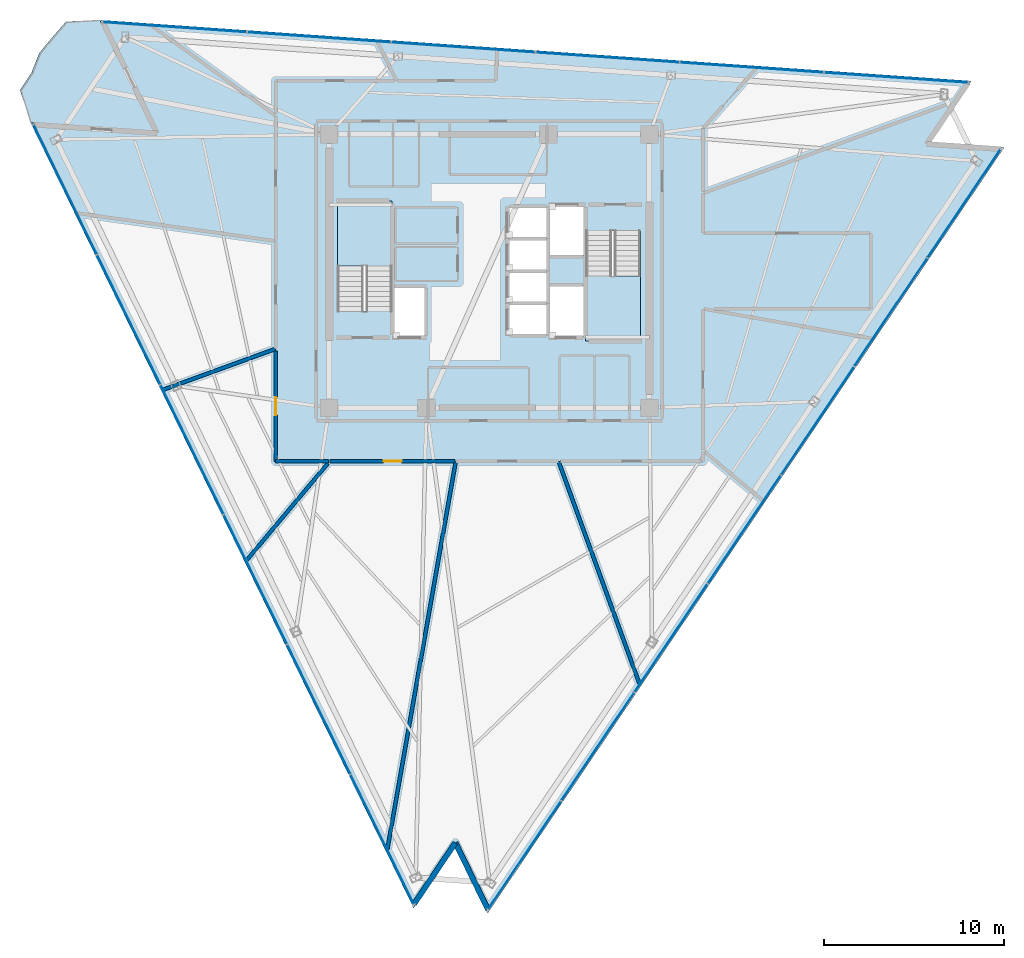
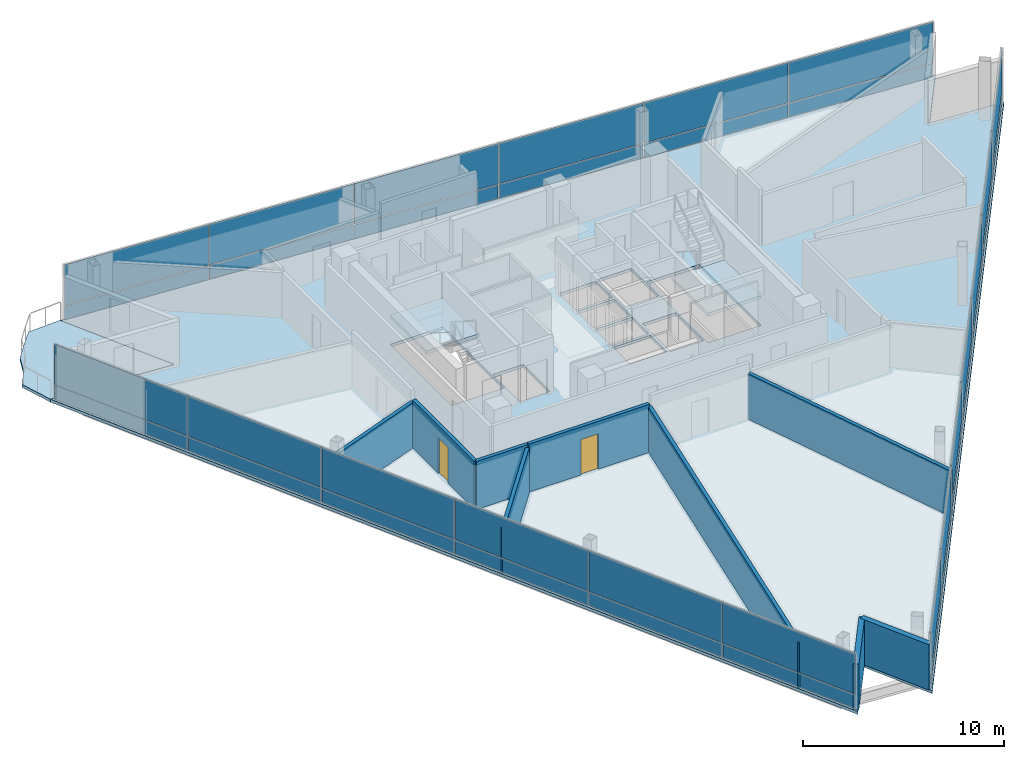
# One storey, part 8 of 14: 38 plates, 9 walls, 4 slabs, 2 doors, 2 openings, 5 elements without a shape of their own.
"""IFC4 building model written with IfcOpenShell, lengths in metres."""

from ifc_helpers import new_model, si_unit, direction, frame, frame_2d, origin, origin_2d, place, context, subcontext, project, spatial, polyline, rectangle, outline, extrude, material, layer, layer_set, type_object, element, fill, aggregate, save


model = new_model("IFC4")

# Units and contexts
model_context = context("Model", 3, precision=1e-05, world=origin(), true_north=direction((0.0, 1.0)))
body_context = subcontext(model_context, "Body", "Model", "MODEL_VIEW")
ifc_project = project(units=[si_unit("LENGTHUNIT", "METRE"), si_unit("AREAUNIT", "SQUARE_METRE"), si_unit("VOLUMEUNIT", "CUBIC_METRE"), si_unit("PLANEANGLEUNIT", "RADIAN"), si_unit("MASSUNIT", "GRAM", prefix="KILO")], contexts=[model_context])

# Site, building, storey
site_placement = place(None, origin())
site = spatial("IfcSite", under=ifc_project, at=site_placement, CompositionType="ELEMENT")
building_placement = place(site_placement, origin())
building = spatial("IfcBuilding", under=site, at=building_placement, Name="Tharavind Bronze Gate", CompositionType="ELEMENT")
storey_placement = place(building_placement, frame((0.0, 0.0, 237.85009765625)))
storey = spatial("IfcBuildingStorey", under=building, at=storey_placement, Name="L61", CompositionType="ELEMENT", Elevation=237.85009765625)

# Curtain wall, plates
ifc_material_1 = material(Name="Anodised Bronze Aluminium", Category="aluminium")
ifc_layer_1 = layer(ifc_material_1, 0.219970703125)
ifc_layer_set_1 = layer_set([ifc_layer_1], Name="Anodised Bronze Aluminium")
curtain_wall_type = type_object("IfcCurtainWallType", Name="UNITISED CURTAIN WALL UPPER OFFICE", PredefinedType="USERDEFINED", material=ifc_layer_set_1)
curtain_wall_1_placement = place(storey_placement, origin())
curtain_wall_1 = element("IfcCurtainWall", 1, at=curtain_wall_1_placement, inside=storey, type_object=curtain_wall_type, Name="L61 unitised curtain wall upper office CW-L61-S1", ObjectType="UNITISED CURTAIN WALL", PredefinedType="USERDEFINED")
ifc_material_2 = material(Name="Patinated Bronze Alloy Sheet", Category="bronze")
ifc_layer_2 = layer(ifc_material_2, 0.01611328125)
ifc_layer_set_2 = layer_set([ifc_layer_2], Name="Patinated Bronze Alloy Sheet")
plate_type_1 = type_object("IfcPlateType", Name="BRONZE SPANDREL CLADDING PANEL 16", PredefinedType="CURTAIN_PANEL", material=ifc_layer_set_2)
plate_1_placement = place(storey_placement, frame((-23.5751953125, 4.5283203125, 0.0263671875), z_axis=(0.0, 0.0, 1.0), x_axis=(0.438371146789, -0.898794046299, 0.0)))
plate_1 = element("IfcPlate", 2, at=plate_1_placement, type_object=plate_type_1, Name="CW-L61-S1 bronze spandrel panel 1", PredefinedType="CURTAIN_PANEL", context=body_context, shape_type="SweptSolid", body=[
    extrude(rectangle(XDim=7.985107421875, YDim=0.01611328125, at=origin_2d()), origin(), (0.0, 0.0, 1.0), 0.846923828125),
])
plate_2_placement = place(storey_placement, frame((-20.051513671875, -2.696044921875, 0.0263671875), z_axis=(0.0, 0.0, 1.0), x_axis=(0.438371146789, -0.898794046299, 0.0)))
plate_2 = element("IfcPlate", 3, at=plate_2_placement, type_object=plate_type_1, Name="CW-L61-S1 bronze spandrel panel 2", PredefinedType="CURTAIN_PANEL", context=body_context, shape_type="SweptSolid", body=[
    extrude(rectangle(XDim=7.985107421875, YDim=0.01611328125, at=origin_2d()), origin(), (0.0, 0.0, 1.0), 0.846923828125),
])
plate_3_placement = place(storey_placement, frame((-16.528076171875, -9.920654296875, 0.0263671875), z_axis=(0.0, 0.0, 1.0), x_axis=(0.438371146789, -0.898794046299, 0.0)))
plate_3 = element("IfcPlate", 4, at=plate_3_placement, type_object=plate_type_1, Name="CW-L61-S1 bronze spandrel panel 3", PredefinedType="CURTAIN_PANEL", context=body_context, shape_type="SweptSolid", body=[
    extrude(rectangle(XDim=7.985107421875, YDim=0.01611328125, at=origin_2d()), origin(), (0.0, 0.0, 1.0), 0.846923828125),
])
plate_4_placement = place(storey_placement, frame((-13.00439453125, -17.145263671875, 0.0263671875), z_axis=(0.0, 0.0, 1.0), x_axis=(0.438371146789, -0.898794046299, 0.0)))
plate_4 = element("IfcPlate", 5, at=plate_4_placement, type_object=plate_type_1, Name="CW-L61-S1 bronze spandrel panel 4", PredefinedType="CURTAIN_PANEL", context=body_context, shape_type="SweptSolid", body=[
    extrude(rectangle(XDim=7.985107421875, YDim=0.01611328125, at=origin_2d()), origin(), (0.0, 0.0, 1.0), 0.846923828125),
])
plate_5_placement = place(storey_placement, frame((-9.480712890625, -24.36962890625, 0.0263671875), z_axis=(0.0, 0.0, 1.0), x_axis=(0.438371146789, -0.898794046299, 0.0)))
plate_5 = element("IfcPlate", 6, at=plate_5_placement, type_object=plate_type_1, Name="CW-L61-S1 bronze spandrel panel 5", PredefinedType="CURTAIN_PANEL", context=body_context, shape_type="SweptSolid", body=[
    extrude(rectangle(XDim=7.985107421875, YDim=0.01611328125, at=origin_2d()), origin(), (0.0, 0.0, 1.0), 0.846923828125),
])
plate_6_placement = place(storey_placement, frame((-5.95703125, -31.59423828125, 0.0263671875), z_axis=(0.0, 0.0, 1.0), x_axis=(0.438371146789, -0.898794046299, 0.0)))
plate_6 = element("IfcPlate", 7, at=plate_6_placement, type_object=plate_type_1, Name="CW-L61-S1 bronze spandrel panel 6", PredefinedType="CURTAIN_PANEL", context=body_context, shape_type="SweptSolid", body=[
    extrude(rectangle(XDim=7.985107421875, YDim=0.01611328125, at=origin_2d()), origin(), (0.0, 0.0, 1.0), 0.846923828125),
])

curtain_wall_2_placement = place(storey_placement, origin())
curtain_wall_2 = element("IfcCurtainWall", 8, at=curtain_wall_2_placement, inside=storey, type_object=curtain_wall_type, Name="L61 unitised curtain wall upper office CW-L61-S2", ObjectType="UNITISED CURTAIN WALL", PredefinedType="USERDEFINED")
plate_7_placement = place(storey_placement, frame((1.958984375, -32.4755859375, 0.0263671875), z_axis=(0.0, 0.0, 1.0), x_axis=(0.559192903471, 0.829037572555, 0.0)))
plate_7 = element("IfcPlate", 9, at=plate_7_placement, type_object=plate_type_1, Name="CW-L61-S2 bronze spandrel panel 1", PredefinedType="CURTAIN_PANEL", context=body_context, shape_type="SweptSolid", body=[
    extrude(rectangle(XDim=7.22998046875, YDim=0.01611328125, at=origin_2d()), origin(), (0.0, 0.0, 1.0), 0.846923828125),
])
plate_8_placement = place(storey_placement, frame((6.031494140625, -26.437744140625, 0.0263671875), z_axis=(0.0, 0.0, 1.0), x_axis=(0.559192903471, 0.829037572555, 0.0)))
plate_8 = element("IfcPlate", 10, at=plate_8_placement, type_object=plate_type_1, Name="CW-L61-S2 bronze spandrel panel 2", PredefinedType="CURTAIN_PANEL", context=body_context, shape_type="SweptSolid", body=[
    extrude(rectangle(XDim=7.22998046875, YDim=0.01611328125, at=origin_2d()), origin(), (0.0, 0.0, 1.0), 0.846923828125),
])
plate_9_placement = place(storey_placement, frame((10.10400390625, -20.39990234375, 0.0263671875), z_axis=(0.0, 0.0, 1.0), x_axis=(0.559192903471, 0.829037572555, 0.0)))
plate_9 = element("IfcPlate", 11, at=plate_9_placement, type_object=plate_type_1, Name="CW-L61-S2 bronze spandrel panel 3", PredefinedType="CURTAIN_PANEL", context=body_context, shape_type="SweptSolid", body=[
    extrude(rectangle(XDim=7.22998046875, YDim=0.01611328125, at=origin_2d()), origin(), (0.0, 0.0, 1.0), 0.846923828125),
])
plate_10_placement = place(storey_placement, frame((14.176513671875, -14.3623046875, 0.0263671875), z_axis=(0.0, 0.0, 1.0), x_axis=(0.559192903471, 0.829037572555, 0.0)))
plate_10 = element("IfcPlate", 12, at=plate_10_placement, type_object=plate_type_1, Name="CW-L61-S2 bronze spandrel panel 4", PredefinedType="CURTAIN_PANEL", context=body_context, shape_type="SweptSolid", body=[
    extrude(rectangle(XDim=7.22998046875, YDim=0.01611328125, at=origin_2d()), origin(), (0.0, 0.0, 1.0), 0.846923828125),
])
plate_11_placement = place(storey_placement, frame((18.2490234375, -8.324462890625, 0.0263671875), z_axis=(0.0, 0.0, 1.0), x_axis=(0.559192903471, 0.829037572555, 0.0)))
plate_11 = element("IfcPlate", 13, at=plate_11_placement, type_object=plate_type_1, Name="CW-L61-S2 bronze spandrel panel 5", PredefinedType="CURTAIN_PANEL", context=body_context, shape_type="SweptSolid", body=[
    extrude(rectangle(XDim=7.22998046875, YDim=0.01611328125, at=origin_2d()), origin(), (0.0, 0.0, 1.0), 0.846923828125),
])
plate_12_placement = place(storey_placement, frame((22.321533203125, -2.28662109375, 0.0263671875), z_axis=(0.0, 0.0, 1.0), x_axis=(0.559192903471, 0.829037572555, 0.0)))
plate_12 = element("IfcPlate", 14, at=plate_12_placement, type_object=plate_type_1, Name="CW-L61-S2 bronze spandrel panel 6", PredefinedType="CURTAIN_PANEL", context=body_context, shape_type="SweptSolid", body=[
    extrude(rectangle(XDim=7.22998046875, YDim=0.01611328125, at=origin_2d()), origin(), (0.0, 0.0, 1.0), 0.846923828125),
])
plate_13_placement = place(storey_placement, frame((26.39404296875, 3.751220703125, 0.0263671875), z_axis=(0.0, 0.0, 1.0), x_axis=(0.559192903471, 0.829037572555, 0.0)))
plate_13 = element("IfcPlate", 15, at=plate_13_placement, type_object=plate_type_1, Name="CW-L61-S2 bronze spandrel panel 7", PredefinedType="CURTAIN_PANEL", context=body_context, shape_type="SweptSolid", body=[
    extrude(rectangle(XDim=7.22998046875, YDim=0.01611328125, at=origin_2d()), origin(), (0.0, 0.0, 1.0), 0.846923828125),
])

curtain_wall_3_placement = place(storey_placement, origin())
curtain_wall_3 = element("IfcCurtainWall", 16, at=curtain_wall_3_placement, inside=storey, type_object=curtain_wall_type, Name="L61 unitised curtain wall upper office CW-L61-S3", ObjectType="UNITISED CURTAIN WALL", PredefinedType="USERDEFINED")
plate_14_placement = place(storey_placement, frame((22.611572265625, 10.760498046875, 0.0263671875), z_axis=(0.0, 0.0, 1.0), x_axis=(-0.99756392851, 0.069758214822, 0.0)))
plate_14 = element("IfcPlate", 17, at=plate_14_placement, type_object=plate_type_1, Name="CW-L61-S3 bronze spandrel panel 1", PredefinedType="CURTAIN_PANEL", context=body_context, shape_type="SweptSolid", body=[
    extrude(rectangle(XDim=7.985107421875, YDim=0.01611328125, at=origin_2d()), origin(), (0.0, 0.0, 1.0), 0.846923828125),
])
plate_15_placement = place(storey_placement, frame((14.593017578125, 11.3212890625, 0.0263671875), z_axis=(0.0, 0.0, 1.0), x_axis=(-0.99756392851, 0.069758214822, 0.0)))
plate_15 = element("IfcPlate", 18, at=plate_15_placement, type_object=plate_type_1, Name="CW-L61-S3 bronze spandrel panel 2", PredefinedType="CURTAIN_PANEL", context=body_context, shape_type="SweptSolid", body=[
    extrude(rectangle(XDim=7.985107421875, YDim=0.01611328125, at=origin_2d()), origin(), (0.0, 0.0, 1.0), 0.846923828125),
])
plate_16_placement = place(storey_placement, frame((6.57470703125, 11.882080078125, 0.0263671875), z_axis=(0.0, 0.0, 1.0), x_axis=(-0.99756392851, 0.069758214822, 0.0)))
plate_16 = element("IfcPlate", 19, at=plate_16_placement, type_object=plate_type_1, Name="CW-L61-S3 bronze spandrel panel 3", PredefinedType="CURTAIN_PANEL", context=body_context, shape_type="SweptSolid", body=[
    extrude(rectangle(XDim=7.985107421875, YDim=0.01611328125, at=origin_2d()), origin(), (0.0, 0.0, 1.0), 0.846923828125),
])
plate_17_placement = place(storey_placement, frame((-1.44384765625, 12.442626953125, 0.0263671875), z_axis=(0.0, 0.0, 1.0), x_axis=(-0.99756392851, 0.069758214822, 0.0)))
plate_17 = element("IfcPlate", 20, at=plate_17_placement, type_object=plate_type_1, Name="CW-L61-S3 bronze spandrel panel 4", PredefinedType="CURTAIN_PANEL", context=body_context, shape_type="SweptSolid", body=[
    extrude(rectangle(XDim=7.985107421875, YDim=0.01611328125, at=origin_2d()), origin(), (0.0, 0.0, 1.0), 0.846923828125),
])
plate_18_placement = place(storey_placement, frame((-9.462158203125, 13.00341796875, 0.0263671875), z_axis=(0.0, 0.0, 1.0), x_axis=(-0.99756392851, 0.069758214822, 0.0)))
plate_18 = element("IfcPlate", 21, at=plate_18_placement, type_object=plate_type_1, Name="CW-L61-S3 bronze spandrel panel 5", PredefinedType="CURTAIN_PANEL", context=body_context, shape_type="SweptSolid", body=[
    extrude(rectangle(XDim=7.985107421875, YDim=0.01611328125, at=origin_2d()), origin(), (0.0, 0.0, 1.0), 0.846923828125),
])
plate_19_placement = place(storey_placement, frame((-17.480712890625, 13.564208984375, 0.0263671875), z_axis=(0.0, 0.0, 1.0), x_axis=(-0.99756392851, 0.069758214822, 0.0)))
plate_19 = element("IfcPlate", 22, at=plate_19_placement, type_object=plate_type_1, Name="CW-L61-S3 bronze spandrel panel 6", PredefinedType="CURTAIN_PANEL", context=body_context, shape_type="SweptSolid", body=[
    extrude(rectangle(XDim=7.985107421875, YDim=0.01611328125, at=origin_2d()), origin(), (0.0, 0.0, 1.0), 0.846923828125),
])

# Slab
ifc_material_3 = material(Name="Concrete C40/50", Category="concrete")
ifc_layer_3 = layer(ifc_material_3, 0.179931640625)
ifc_layer_set_3 = layer_set([ifc_layer_3], Name="Concrete C40/50")
slab_type_1 = type_object("IfcSlabType", Name="EXTERIOR BALCONY SLAB 180", PredefinedType="FLOOR", material=ifc_layer_set_3)
slab_1_placement = place(storey_placement, frame((0.0, 0.0, -0.18017578125)))
element("IfcSlab", 23, at=slab_1_placement, inside=storey, type_object=slab_type_1, Name="L61 northeast tree balcony slab", PredefinedType="FLOOR", context=body_context, shape_type="SweptSolid", body=[
    extrude(outline(polyline([(-23.523193359375, 13.869873046875), (-24.287109375, 13.001953125), (-25.021484375, 12.114013671875), (-25.447021484375, 11.01806640625), (-26.088134765625, 10.0673828125), (-25.5029296875, 8.25244140625), (-18.6396484375, 7.772705078125), (-21.65576171875, 13.956298828125), (-23.523193359375, 13.869873046875)])), origin(), (0.0, 0.0, 1.0), 0.18017578125),
])

# Stair, slab
stair_type = type_object("IfcStairType", Name="CORE HALF TURN STAIR 1450", PredefinedType="HALF_TURN_STAIR", material=ifc_material_3)
stair_1_placement = place(storey_placement, origin())
stair_1 = element("IfcStair", 24, at=stair_1_placement, inside=storey, type_object=stair_type, Name="L61 Protected Exit Stair ST1", PredefinedType="HALF_TURN_STAIR")
ifc_layer_4 = layer(ifc_material_3, 0.199951171875)
ifc_layer_set_4 = layer_set([ifc_layer_4], Name="Concrete C40/50")
slab_type_2 = type_object("IfcSlabType", Name="STAIR LANDING SLAB 200", PredefinedType="LANDING", material=ifc_layer_set_4)
slab_2_placement = place(storey_placement, frame((0.0, 0.0, 1.599853515625)))
slab_2 = element("IfcSlab", 25, at=slab_2_placement, type_object=slab_type_2, Name="ST1 landing 1", PredefinedType="LANDING", context=body_context, shape_type="SweptSolid", body=[
    extrude(outline(polyline([(-5.39990234375, 0.27001953125), (-5.39990234375, 3.89990234375), (-8.449951171875, 3.89990234375), (-8.449951171875, 0.27001953125), (-5.39990234375, 0.27001953125)])), origin(), (0.0, 0.0, 1.0), 0.199951171875),
])
aggregate(stair_1, [slab_2])

stair_2_placement = place(storey_placement, origin())
stair_2 = element("IfcStair", 26, at=stair_2_placement, inside=storey, type_object=stair_type, Name="L61 Protected Exit Stair ST2", PredefinedType="HALF_TURN_STAIR")
slab_3_placement = place(storey_placement, frame((0.0, 0.0, 1.599853515625)))
slab_3 = element("IfcSlab", 27, at=slab_3_placement, type_object=slab_type_2, Name="ST2 landing 1", PredefinedType="LANDING", context=body_context, shape_type="SweptSolid", body=[
    extrude(outline(polyline([(5.35009765625, -0.27001953125), (5.35009765625, -3.89990234375), (8.39990234375, -3.89990234375), (8.39990234375, -0.27001953125), (5.35009765625, -0.27001953125)])), origin(), (0.0, 0.0, 1.0), 0.199951171875),
])
aggregate(stair_2, [slab_3])

# Slab
ifc_layer_5 = layer(ifc_material_3, 0.179931640625)
ifc_layer_set_5 = layer_set([ifc_layer_5], Name="Concrete C40/50")
slab_type_3 = type_object("IfcSlabType", Name="STRUCTURAL FLOOR SLAB 180", PredefinedType="FLOOR", material=ifc_layer_set_5)
slab_4_placement = place(storey_placement, frame((0.0, 0.0, -0.18017578125)))
element("IfcSlab", 28, at=slab_4_placement, inside=storey, type_object=slab_type_3, Name="L61 main structural floor slab", PredefinedType="FLOOR", context=body_context, shape_type="SweptSolid", body=[
    extrude(outline(polyline([(-21.65576171875, 13.956298828125), (-18.6396484375, 7.772705078125), (-25.5029296875, 8.25244140625), (-4.209228515625, -35.406005859375), (-1.90087890625, -31.983642578125), (-0.09130859375, -35.69384765625), (28.610107421875, 6.857666015625), (24.4921875, 7.145751953125), (26.800537109375, 10.56787109375), (-21.65576171875, 13.956298828125)]), holes=[polyline([(-5.39990234375, -2.215087890625), (-5.39990234375, 3.89990234375), (-8.449951171875, 3.89990234375), (-8.449951171875, -2.215087890625), (-5.39990234375, -2.215087890625)]), polyline([(5.35009765625, 2.215087890625), (5.35009765625, -3.89990234375), (8.39990234375, -3.89990234375), (8.39990234375, 2.215087890625), (5.35009765625, 2.215087890625)]), polyline([(1.080078125, -3.52001953125), (3.199951171875, -3.52001953125), (3.199951171875, -1.8798828125), (1.080078125, -1.8798828125), (1.080078125, -3.52001953125)]), polyline([(1.080078125, -1.719970703125), (3.199951171875, -1.719970703125), (3.199951171875, -0.080078125), (1.080078125, -0.080078125), (1.080078125, -1.719970703125)]), polyline([(1.080078125, 0.080078125), (3.199951171875, 0.080078125), (3.199951171875, 1.719970703125), (1.080078125, 1.719970703125), (1.080078125, 0.080078125)]), polyline([(1.080078125, 1.8798828125), (3.199951171875, 1.8798828125), (3.199951171875, 3.52001953125), (1.080078125, 3.52001953125), (1.080078125, 1.8798828125)]), polyline([(-5.320068359375, -3.6201171875), (-3.580078125, -3.6201171875), (-3.580078125, -0.929931640625), (-5.320068359375, -0.929931640625), (-5.320068359375, -3.6201171875)]), polyline([(3.360107421875, 0.8798828125), (5.27001953125, 0.8798828125), (5.27001953125, 3.6201171875), (3.360107421875, 3.6201171875), (3.360107421875, 0.8798828125)]), polyline([(3.360107421875, -3.6201171875), (5.27001953125, -3.6201171875), (5.27001953125, -0.830078125), (3.360107421875, -0.830078125), (3.360107421875, -3.6201171875)])]), origin(), (0.0, 0.0, 1.0), 0.18017578125),
])

# Plate
ifc_material_4 = material(Name="Triple Solar Control Glazing", Category="glass")
ifc_layer_6 = layer(ifc_material_4, 0.0439453125)
ifc_layer_set_6 = layer_set([ifc_layer_6], Name="Triple Solar Control Glazing")
plate_type_2 = type_object("IfcPlateType", Name="TRIPLE GLAZED FACADE PANEL 44", PredefinedType="CURTAIN_PANEL", material=ifc_layer_set_6)
plate_20_placement = place(storey_placement, frame((-23.5751953125, 4.5283203125, 0.92626953125), z_axis=(0.0, 0.0, 1.0), x_axis=(0.438371146789, -0.898794046299, 0.0)))
plate_20 = element("IfcPlate", 29, at=plate_20_placement, type_object=plate_type_2, Name="CW-L61-S1 vision glazing panel 1", PredefinedType="CURTAIN_PANEL", context=body_context, shape_type="SweptSolid", body=[
    extrude(rectangle(XDim=7.985107421875, YDim=0.0439453125, at=origin_2d()), origin(), (0.0, 0.0, 1.0), 2.467041015625),
])

plate_21_placement = place(storey_placement, frame((-20.051513671875, -2.696044921875, 0.92626953125), z_axis=(0.0, 0.0, 1.0), x_axis=(0.438371146789, -0.898794046299, 0.0)))
plate_21 = element("IfcPlate", 30, at=plate_21_placement, type_object=plate_type_2, Name="CW-L61-S1 vision glazing panel 2", PredefinedType="CURTAIN_PANEL", context=body_context, shape_type="SweptSolid", body=[
    extrude(rectangle(XDim=7.985107421875, YDim=0.0439453125, at=origin_2d()), origin(), (0.0, 0.0, 1.0), 2.467041015625),
])

plate_22_placement = place(storey_placement, frame((-16.528076171875, -9.920654296875, 0.92626953125), z_axis=(0.0, 0.0, 1.0), x_axis=(0.438371146789, -0.898794046299, 0.0)))
plate_22 = element("IfcPlate", 31, at=plate_22_placement, type_object=plate_type_2, Name="CW-L61-S1 vision glazing panel 3", PredefinedType="CURTAIN_PANEL", context=body_context, shape_type="SweptSolid", body=[
    extrude(rectangle(XDim=7.985107421875, YDim=0.0439453125, at=origin_2d()), origin(), (0.0, 0.0, 1.0), 2.467041015625),
])

plate_23_placement = place(storey_placement, frame((-13.00439453125, -17.145263671875, 0.92626953125), z_axis=(0.0, 0.0, 1.0), x_axis=(0.438371146789, -0.898794046299, 0.0)))
plate_23 = element("IfcPlate", 32, at=plate_23_placement, type_object=plate_type_2, Name="CW-L61-S1 vision glazing panel 4", PredefinedType="CURTAIN_PANEL", context=body_context, shape_type="SweptSolid", body=[
    extrude(rectangle(XDim=7.985107421875, YDim=0.0439453125, at=origin_2d()), origin(), (0.0, 0.0, 1.0), 2.467041015625),
])

plate_24_placement = place(storey_placement, frame((-9.480712890625, -24.36962890625, 0.92626953125), z_axis=(0.0, 0.0, 1.0), x_axis=(0.438371146789, -0.898794046299, 0.0)))
plate_24 = element("IfcPlate", 33, at=plate_24_placement, type_object=plate_type_2, Name="CW-L61-S1 vision glazing panel 5", PredefinedType="CURTAIN_PANEL", context=body_context, shape_type="SweptSolid", body=[
    extrude(rectangle(XDim=7.985107421875, YDim=0.0439453125, at=origin_2d()), origin(), (0.0, 0.0, 1.0), 2.467041015625),
])

plate_25_placement = place(storey_placement, frame((-5.95703125, -31.59423828125, 0.92626953125), z_axis=(0.0, 0.0, 1.0), x_axis=(0.438371146789, -0.898794046299, 0.0)))
plate_25 = element("IfcPlate", 34, at=plate_25_placement, type_object=plate_type_2, Name="CW-L61-S1 vision glazing panel 6", PredefinedType="CURTAIN_PANEL", context=body_context, shape_type="SweptSolid", body=[
    extrude(rectangle(XDim=7.985107421875, YDim=0.0439453125, at=origin_2d()), origin(), (0.0, 0.0, 1.0), 2.467041015625),
])

aggregate(curtain_wall_1, [plate_1, plate_20, plate_2, plate_21, plate_3, plate_22, plate_4, plate_23, plate_5, plate_24, plate_6, plate_25])

plate_26_placement = place(storey_placement, frame((1.958984375, -32.4755859375, 0.92626953125), z_axis=(0.0, 0.0, 1.0), x_axis=(0.559192903471, 0.829037572555, 0.0)))
plate_26 = element("IfcPlate", 35, at=plate_26_placement, type_object=plate_type_2, Name="CW-L61-S2 vision glazing panel 1", PredefinedType="CURTAIN_PANEL", context=body_context, shape_type="SweptSolid", body=[
    extrude(rectangle(XDim=7.22998046875, YDim=0.0439453125, at=origin_2d()), origin(), (0.0, 0.0, 1.0), 2.467041015625),
])

plate_27_placement = place(storey_placement, frame((6.031494140625, -26.437744140625, 0.92626953125), z_axis=(0.0, 0.0, 1.0), x_axis=(0.559192903471, 0.829037572555, 0.0)))
plate_27 = element("IfcPlate", 36, at=plate_27_placement, type_object=plate_type_2, Name="CW-L61-S2 vision glazing panel 2", PredefinedType="CURTAIN_PANEL", context=body_context, shape_type="SweptSolid", body=[
    extrude(rectangle(XDim=7.22998046875, YDim=0.0439453125, at=origin_2d()), origin(), (0.0, 0.0, 1.0), 2.467041015625),
])

plate_28_placement = place(storey_placement, frame((10.10400390625, -20.39990234375, 0.92626953125), z_axis=(0.0, 0.0, 1.0), x_axis=(0.559192903471, 0.829037572555, 0.0)))
plate_28 = element("IfcPlate", 37, at=plate_28_placement, type_object=plate_type_2, Name="CW-L61-S2 vision glazing panel 3", PredefinedType="CURTAIN_PANEL", context=body_context, shape_type="SweptSolid", body=[
    extrude(rectangle(XDim=7.22998046875, YDim=0.0439453125, at=origin_2d()), origin(), (0.0, 0.0, 1.0), 2.467041015625),
])

plate_29_placement = place(storey_placement, frame((14.176513671875, -14.3623046875, 0.92626953125), z_axis=(0.0, 0.0, 1.0), x_axis=(0.559192903471, 0.829037572555, 0.0)))
plate_29 = element("IfcPlate", 38, at=plate_29_placement, type_object=plate_type_2, Name="CW-L61-S2 vision glazing panel 4", PredefinedType="CURTAIN_PANEL", context=body_context, shape_type="SweptSolid", body=[
    extrude(rectangle(XDim=7.22998046875, YDim=0.0439453125, at=origin_2d()), origin(), (0.0, 0.0, 1.0), 2.467041015625),
])

plate_30_placement = place(storey_placement, frame((18.2490234375, -8.324462890625, 0.92626953125), z_axis=(0.0, 0.0, 1.0), x_axis=(0.559192903471, 0.829037572555, 0.0)))
plate_30 = element("IfcPlate", 39, at=plate_30_placement, type_object=plate_type_2, Name="CW-L61-S2 vision glazing panel 5", PredefinedType="CURTAIN_PANEL", context=body_context, shape_type="SweptSolid", body=[
    extrude(rectangle(XDim=7.22998046875, YDim=0.0439453125, at=origin_2d()), origin(), (0.0, 0.0, 1.0), 2.467041015625),
])

plate_31_placement = place(storey_placement, frame((22.321533203125, -2.28662109375, 0.92626953125), z_axis=(0.0, 0.0, 1.0), x_axis=(0.559192903471, 0.829037572555, 0.0)))
plate_31 = element("IfcPlate", 40, at=plate_31_placement, type_object=plate_type_2, Name="CW-L61-S2 vision glazing panel 6", PredefinedType="CURTAIN_PANEL", context=body_context, shape_type="SweptSolid", body=[
    extrude(rectangle(XDim=7.22998046875, YDim=0.0439453125, at=origin_2d()), origin(), (0.0, 0.0, 1.0), 2.467041015625),
])

plate_32_placement = place(storey_placement, frame((26.39404296875, 3.751220703125, 0.92626953125), z_axis=(0.0, 0.0, 1.0), x_axis=(0.559192903471, 0.829037572555, 0.0)))
plate_32 = element("IfcPlate", 41, at=plate_32_placement, type_object=plate_type_2, Name="CW-L61-S2 vision glazing panel 7", PredefinedType="CURTAIN_PANEL", context=body_context, shape_type="SweptSolid", body=[
    extrude(rectangle(XDim=7.22998046875, YDim=0.0439453125, at=origin_2d()), origin(), (0.0, 0.0, 1.0), 2.467041015625),
])

aggregate(curtain_wall_2, [plate_7, plate_26, plate_8, plate_27, plate_9, plate_28, plate_10, plate_29, plate_11, plate_30, plate_12, plate_31, plate_13, plate_32])

plate_33_placement = place(storey_placement, frame((22.611572265625, 10.760498046875, 0.92626953125), z_axis=(0.0, 0.0, 1.0), x_axis=(-0.99756392851, 0.069758214822, 0.0)))
plate_33 = element("IfcPlate", 42, at=plate_33_placement, type_object=plate_type_2, Name="CW-L61-S3 vision glazing panel 1", PredefinedType="CURTAIN_PANEL", context=body_context, shape_type="SweptSolid", body=[
    extrude(rectangle(XDim=7.985107421875, YDim=0.0439453125, at=origin_2d()), origin(), (0.0, 0.0, 1.0), 2.467041015625),
])

plate_34_placement = place(storey_placement, frame((14.593017578125, 11.3212890625, 0.92626953125), z_axis=(0.0, 0.0, 1.0), x_axis=(-0.99756392851, 0.069758214822, 0.0)))
plate_34 = element("IfcPlate", 43, at=plate_34_placement, type_object=plate_type_2, Name="CW-L61-S3 vision glazing panel 2", PredefinedType="CURTAIN_PANEL", context=body_context, shape_type="SweptSolid", body=[
    extrude(rectangle(XDim=7.985107421875, YDim=0.0439453125, at=origin_2d()), origin(), (0.0, 0.0, 1.0), 2.467041015625),
])

plate_35_placement = place(storey_placement, frame((6.57470703125, 11.882080078125, 0.92626953125), z_axis=(0.0, 0.0, 1.0), x_axis=(-0.99756392851, 0.069758214822, 0.0)))
plate_35 = element("IfcPlate", 44, at=plate_35_placement, type_object=plate_type_2, Name="CW-L61-S3 vision glazing panel 3", PredefinedType="CURTAIN_PANEL", context=body_context, shape_type="SweptSolid", body=[
    extrude(rectangle(XDim=7.985107421875, YDim=0.0439453125, at=origin_2d()), origin(), (0.0, 0.0, 1.0), 2.467041015625),
])

plate_36_placement = place(storey_placement, frame((-1.44384765625, 12.442626953125, 0.92626953125), z_axis=(0.0, 0.0, 1.0), x_axis=(-0.99756392851, 0.069758214822, 0.0)))
plate_36 = element("IfcPlate", 45, at=plate_36_placement, type_object=plate_type_2, Name="CW-L61-S3 vision glazing panel 4", PredefinedType="CURTAIN_PANEL", context=body_context, shape_type="SweptSolid", body=[
    extrude(rectangle(XDim=7.985107421875, YDim=0.0439453125, at=origin_2d()), origin(), (0.0, 0.0, 1.0), 2.467041015625),
])

plate_37_placement = place(storey_placement, frame((-9.462158203125, 13.00341796875, 0.92626953125), z_axis=(0.0, 0.0, 1.0), x_axis=(-0.99756392851, 0.069758214822, 0.0)))
plate_37 = element("IfcPlate", 46, at=plate_37_placement, type_object=plate_type_2, Name="CW-L61-S3 vision glazing panel 5", PredefinedType="CURTAIN_PANEL", context=body_context, shape_type="SweptSolid", body=[
    extrude(rectangle(XDim=7.985107421875, YDim=0.0439453125, at=origin_2d()), origin(), (0.0, 0.0, 1.0), 2.467041015625),
])

plate_38_placement = place(storey_placement, frame((-17.480712890625, 13.564208984375, 0.92626953125), z_axis=(0.0, 0.0, 1.0), x_axis=(-0.99756392851, 0.069758214822, 0.0)))
plate_38 = element("IfcPlate", 47, at=plate_38_placement, type_object=plate_type_2, Name="CW-L61-S3 vision glazing panel 6", PredefinedType="CURTAIN_PANEL", context=body_context, shape_type="SweptSolid", body=[
    extrude(rectangle(XDim=7.985107421875, YDim=0.0439453125, at=origin_2d()), origin(), (0.0, 0.0, 1.0), 2.467041015625),
])

aggregate(curtain_wall_3, [plate_14, plate_33, plate_15, plate_34, plate_16, plate_35, plate_17, plate_36, plate_18, plate_37, plate_19, plate_38])

# Walls
ifc_layer_7 = layer(ifc_material_3, 0.300048828125)
ifc_layer_set_7 = layer_set([ifc_layer_7], Name="Concrete C40/50")
wall_type_1 = type_object("IfcWallType", Name="EXTERIOR SPANDREL WALL 300", PredefinedType="STANDARD", material=ifc_layer_set_7)
wall_1_placement = place(storey_placement, frame((-4.1953125, -35.20654296875, 0.0), z_axis=(0.0, 0.0, 1.0), x_axis=(0.559182319101, 0.829044711704, 0.0)))
element("IfcWall", 48, at=wall_1_placement, inside=storey, type_object=wall_type_1, Name="L61 notch cheek wall 2A", PredefinedType="STANDARD", context=body_context, shape_type="SweptSolid", body=[
    extrude(rectangle(XDim=4.128173828125, YDim=0.300048828125, at=frame_2d((2.06396484375, 0.0))), origin(), (0.0, 0.0, 1.0), 2.764892578125),
])
wall_2_placement = place(storey_placement, frame((-1.886962890625, -31.7841796875, 0.0), z_axis=(0.0, 0.0, 1.0), x_axis=(0.438367699713, -0.898795727542, 0.0)))
element("IfcWall", 49, at=wall_2_placement, inside=storey, type_object=wall_type_1, Name="L61 notch cheek wall 2B", PredefinedType="STANDARD", context=body_context, shape_type="SweptSolid", body=[
    extrude(rectangle(XDim=4.1279296875, YDim=0.300048828125, at=frame_2d((2.06396484375, 0.0))), origin(), (0.0, 0.0, 1.0), 2.764892578125),
])
ifc_material_5 = material(Name="Aerated Concrete Block", Category="concrete")
ifc_layer_8 = layer(ifc_material_5, 0.199951171875)
ifc_layer_set_8 = layer_set([ifc_layer_8], Name="Aerated Concrete Block")
wall_type_2 = type_object("IfcWallType", Name="FIRE RATED PARTITION 200", PredefinedType="PARTITIONING", material=ifc_layer_set_8)
wall_3_placement = place(storey_placement, frame((-11.896484375, -4.330078125, 0.0), z_axis=(0.0, 0.0, 1.0), x_axis=(-0.939698738166, -0.342003335495, 0.0)))
element("IfcWall", 50, at=wall_3_placement, inside=storey, type_object=wall_type_2, Name="L61 Project Office 3 partition", PredefinedType="PARTITIONING", context=body_context, shape_type="SweptSolid", body=[
    extrude(rectangle(XDim=6.62744140625, YDim=0.199951171875, at=frame_2d((3.313720703125, 0.0))), origin(), (0.0, 0.0, 1.0), 2.764892578125),
])

# Wall, opening, door
wall_4_placement = place(storey_placement, frame((-11.8798828125, -4.435791015625, 0.0), z_axis=(0.0, 0.0, 1.0), x_axis=(0.0, -1.0, 0.0)))
wall_4 = element("IfcWall", 51, at=wall_4_placement, inside=storey, type_object=wall_type_2, Name="L61 Partner Office 4 partition", PredefinedType="PARTITIONING", context=body_context, shape_type="SweptSolid", body=[
    extrude(rectangle(XDim=6.1435546875, YDim=0.199951171875, at=frame_2d((3.07177734375, 0.0))), origin(), (0.0, 0.0, 1.0), 2.914794921875),
])
opening_1_placement = place(wall_4_placement, frame((2.572021484375, 0.0, 0.0)))
opening_1 = element("IfcOpeningElement", 52, at=opening_1_placement, cuts=wall_4, Name="Opening ID04", PredefinedType="OPENING", context=body_context, shape_type="SweptSolid", body=[
    extrude(rectangle(XDim=1.0, YDim=2.14990234375, at=frame_2d((0.5, 1.074951171875))), frame((0.0, 0.11009765625, 0.0), z_axis=(0.0, -1.0, 0.0), x_axis=(1.0, 0.0, 0.0)), (0.0, 0.0, 1.0), 0.219951171875),
])
ifc_material_6 = material(Name="Bronze Framed Acoustic Timber", Category="wood")
door_type = type_object("IfcDoorType", Name="OFFICE TENANCY DOOR 1000X2150", OperationType="SINGLE_SWING_RIGHT", PredefinedType="DOOR", material=ifc_material_6)
door_1_placement = place(opening_1_placement, origin())
door_1 = element("IfcDoor", 53, at=door_1_placement, inside=storey, type_object=door_type, Name="L61 Partner Office 4 door", OperationType="SINGLE_SWING_RIGHT", OverallHeight=2.14990234375, OverallWidth=1.0, PredefinedType="DOOR", context=body_context, shape_type="SweptSolid", body=[
    extrude(rectangle(XDim=1.0, YDim=2.14990234375, at=frame_2d((0.5, 1.074951171875))), frame((0.0, 0.02490234375, 0.0), z_axis=(0.0, -1.0, 0.0), x_axis=(1.0, 0.0, 0.0)), (0.0, 0.0, 1.0), 0.050048828125),
])
fill(opening_1, door_1)

# Walls
wall_5_placement = place(storey_placement, frame((-11.87939453125, -10.580078125, 0.0), z_axis=(0.0, 0.0, 1.0), x_axis=(1.0, 0.0, 0.0)))
element("IfcWall", 54, at=wall_5_placement, inside=storey, type_object=wall_type_2, Name="L61 Partner Office 4 partition", PredefinedType="PARTITIONING", context=body_context, shape_type="SweptSolid", body=[
    extrude(rectangle(XDim=2.947998046875, YDim=0.199951171875, at=frame_2d((1.47412109375, 0.0))), origin(), (0.0, 0.0, 1.0), 2.914794921875),
])
wall_6_placement = place(storey_placement, frame((-8.9658203125, -10.68505859375, 0.0), z_axis=(0.0, 0.0, 1.0), x_axis=(-0.642788071203, -0.76604405586, 0.0)))
element("IfcWall", 55, at=wall_6_placement, inside=storey, type_object=wall_type_2, Name="L61 Partner Office 4 partition", PredefinedType="PARTITIONING", context=body_context, shape_type="SweptSolid", body=[
    extrude(rectangle(XDim=7.0732421875, YDim=0.199951171875, at=frame_2d((3.53662109375, 0.0))), origin(), (0.0, 0.0, 1.0), 2.764892578125),
])

# Wall, opening, door
wall_7_placement = place(storey_placement, frame((-8.865966796875, -10.580078125, 0.0), z_axis=(0.0, 0.0, 1.0), x_axis=(1.0, 0.0, 0.0)))
wall_7 = element("IfcWall", 56, at=wall_7_placement, inside=storey, type_object=wall_type_2, Name="L61 Partner Office 5 partition", PredefinedType="PARTITIONING", context=body_context, shape_type="SweptSolid", body=[
    extrude(rectangle(XDim=6.970703125, YDim=0.199951171875, at=frame_2d((3.4853515625, 0.0))), origin(), (0.0, 0.0, 1.0), 2.914794921875),
])
opening_2_placement = place(wall_7_placement, frame((2.985107421875, 0.0, 0.0)))
opening_2 = element("IfcOpeningElement", 57, at=opening_2_placement, cuts=wall_7, Name="Opening ID04", PredefinedType="OPENING", context=body_context, shape_type="SweptSolid", body=[
    extrude(rectangle(XDim=1.0, YDim=2.14990234375, at=frame_2d((0.5, 1.074951171875))), frame((0.0, 0.11009765625, 0.0), z_axis=(0.0, -1.0, 0.0), x_axis=(1.0, 0.0, 0.0)), (0.0, 0.0, 1.0), 0.219951171875),
])
door_2_placement = place(opening_2_placement, origin())
door_2 = element("IfcDoor", 58, at=door_2_placement, inside=storey, type_object=door_type, Name="L61 Partner Office 5 door", OperationType="SINGLE_SWING_RIGHT", OverallHeight=2.14990234375, OverallWidth=1.0, PredefinedType="DOOR", context=body_context, shape_type="SweptSolid", body=[
    extrude(rectangle(XDim=1.0, YDim=2.14990234375, at=frame_2d((0.5, 1.074951171875))), frame((0.0, 0.02490234375, 0.0), z_axis=(0.0, -1.0, 0.0), x_axis=(1.0, 0.0, 0.0)), (0.0, 0.0, 1.0), 0.050048828125),
])
fill(opening_2, door_2)

# Walls
wall_8_placement = place(storey_placement, frame((-1.87060546875, -10.609375, 0.0), z_axis=(0.0, 0.0, 1.0), x_axis=(-0.173658771841, -0.984805884915, 0.0)))
element("IfcWall", 59, at=wall_8_placement, inside=storey, type_object=wall_type_2, Name="L61 Partner Office 5 partition", PredefinedType="PARTITIONING", context=body_context, shape_type="SweptSolid", body=[
    extrude(rectangle(XDim=21.899169921875, YDim=0.199951171875, at=frame_2d((10.94970703125, 0.0))), origin(), (0.0, 0.0, 1.0), 2.764892578125),
])
wall_9_placement = place(storey_placement, frame((3.856689453125, -10.596435546875, 0.0), z_axis=(0.0, 0.0, 1.0), x_axis=(0.342028925495, -0.939689424291, 0.0)))
element("IfcWall", 60, at=wall_9_placement, inside=storey, type_object=wall_type_2, Name="L61 Research Office 6 partition", PredefinedType="PARTITIONING", context=body_context, shape_type="SweptSolid", body=[
    extrude(rectangle(XDim=13.165283203125, YDim=0.199951171875, at=frame_2d((6.58251953125, 0.0))), origin(), (0.0, 0.0, 1.0), 2.764892578125),
])

save(model, "model.ifc")
